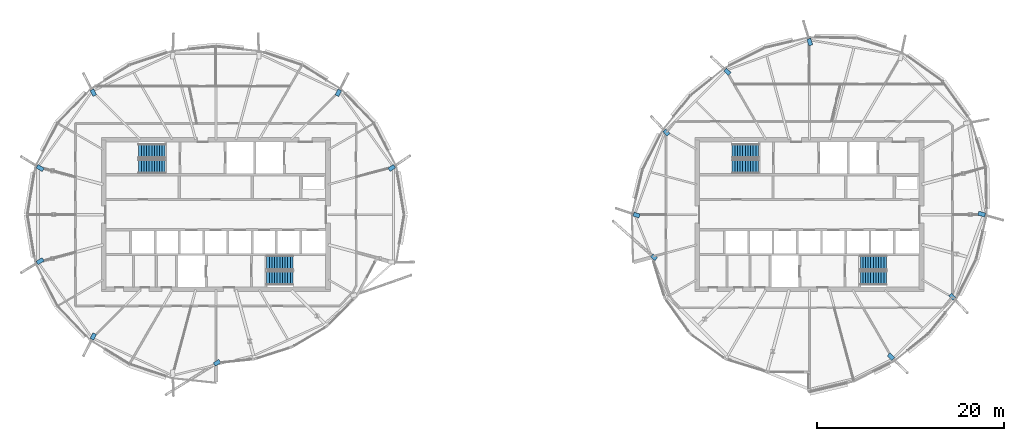
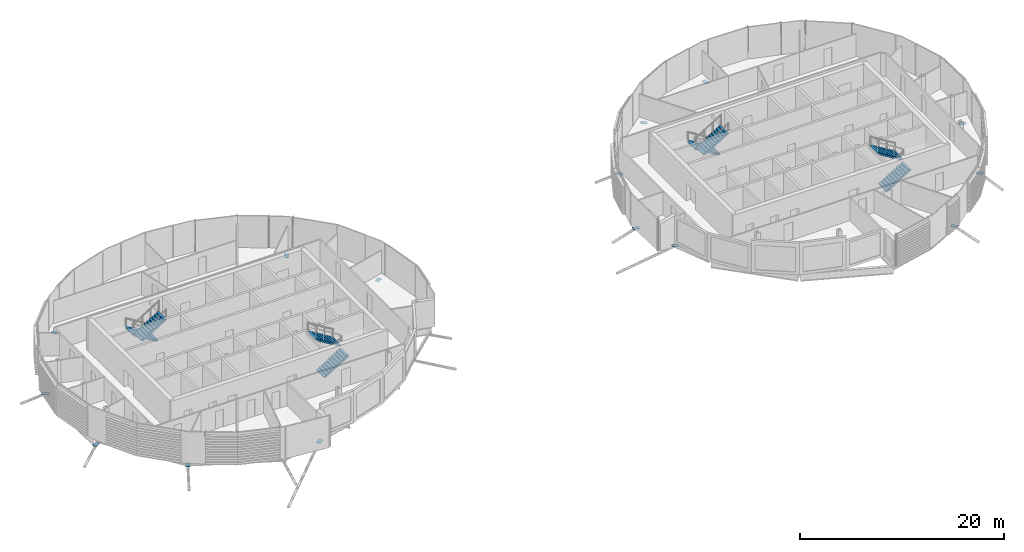
# One storey, part 24 of 36: 15 discrete accessories, 8 stair flights, 4 elements without a shape of their own.
"""IFC4 building model written with IfcOpenShell, lengths in metres."""

from ifc_helpers import new_model, si_unit, direction, frame, origin, origin_2d, place, context, subcontext, project, spatial, polyline, rectangle, outline, extrude, material, material_profile, profile_set, type_object, element, aggregate, save


model = new_model("IFC4")

# Units and contexts
model_context = context("Model", 3, precision=1e-05, world=origin(), true_north=direction((0.0, 1.0)))
body_context = subcontext(model_context, "Body", "Model", "MODEL_VIEW")
ifc_project = project(units=[si_unit("LENGTHUNIT", "METRE"), si_unit("AREAUNIT", "SQUARE_METRE"), si_unit("VOLUMEUNIT", "CUBIC_METRE"), si_unit("PLANEANGLEUNIT", "RADIAN"), si_unit("MASSUNIT", "GRAM", prefix="KILO")], contexts=[model_context])

# Site, building, storey
site_placement = place(None, origin())
site = spatial("IfcSite", under=ifc_project, at=site_placement, CompositionType="ELEMENT")
building_placement = place(site_placement, origin())
building = spatial("IfcBuilding", under=site, at=building_placement, Name="Rimbun Link Towers", CompositionType="ELEMENT")
storey_placement = place(building_placement, frame((0.0, 0.0, 248.5)))
storey = spatial("IfcBuildingStorey", under=building, at=storey_placement, Name="L61", CompositionType="ELEMENT", Elevation=248.5)

# Stair, stair flights
ifc_material_1 = material(Name="Concrete C40/50", Category="concrete")
stair_type = type_object("IfcStairType", Name="Exit stair 3800 rise", PredefinedType="HALF_TURN_STAIR", material=ifc_material_1)
stair_1_placement = place(storey_placement, origin())
stair_1 = element("IfcStair", 1, at=stair_1_placement, inside=storey, type_object=stair_type, Name="L61 EXIT STAIR A", PredefinedType="HALF_TURN_STAIR")
ifc_material_2 = material(Name="Concrete C40/50", Category="concrete")
stair_flight_type = type_object("IfcStairFlightType", Name="Exit stair flight 3800 rise", PredefinedType="STRAIGHT", material=ifc_material_2)
stair_flight_1_placement = place(storey_placement, frame((-37.199951171875, 6.800048828125, 0.0), z_axis=(0.0, 0.0, 1.0), x_axis=(-1.0, 0.0, 0.0)))
stair_flight_1 = element("IfcStairFlight", 2, at=stair_flight_1_placement, type_object=stair_flight_type, Name="ST1 flight 1", NumberOfRisers=11, NumberOfTreads=10, PredefinedType="STRAIGHT", RiserHeight=0.172727273, TreadLength=0.28, context=body_context, shape_type="SweptSolid", body=[
    extrude(outline(polyline([(0.0, 0.0), (0.0, 0.172607421875), (0.280029296875, 0.172607421875), (0.280029296875, 0.345458984375), (0.56005859375, 0.345458984375), (0.56005859375, 0.51806640625), (0.840087890625, 0.51806640625), (0.840087890625, 0.69091796875), (1.1201171875, 0.69091796875), (1.1201171875, 0.863525390625), (1.39990234375, 0.863525390625), (1.39990234375, 1.036376953125), (1.679931640625, 1.036376953125), (1.679931640625, 1.208984375), (1.9599609375, 1.208984375), (1.9599609375, 1.3818359375), (2.239990234375, 1.3818359375), (2.239990234375, 1.554443359375), (2.52001953125, 1.554443359375), (2.52001953125, 1.727294921875), (2.800048828125, 1.727294921875), (2.800048828125, 1.89990234375), (2.800048828125, 1.551025390625), (0.280029296875, 0.0), (0.0, 0.0)])), frame((0.0, 0.75, 0.0), z_axis=(0.0, -1.0, 0.0), x_axis=(1.0, 0.0, 0.0)), (0.0, 0.0, 1.0), 1.5),
])
stair_flight_2_placement = place(storey_placement, frame((-40.0, 5.14990234375, 1.89990234375), z_axis=(0.0, 0.0, 1.0), x_axis=(1.0, 0.0, 0.0)))
stair_flight_2 = element("IfcStairFlight", 3, at=stair_flight_2_placement, type_object=stair_flight_type, Name="ST1 flight 2", NumberOfRisers=11, NumberOfTreads=10, PredefinedType="STRAIGHT", RiserHeight=0.172727273, TreadLength=0.28, context=body_context, shape_type="SweptSolid", body=[
    extrude(outline(polyline([(0.0, 0.0), (0.0, 0.172607421875), (0.280029296875, 0.172607421875), (0.280029296875, 0.345458984375), (0.56005859375, 0.345458984375), (0.56005859375, 0.51806640625), (0.840087890625, 0.51806640625), (0.840087890625, 0.69091796875), (1.1201171875, 0.69091796875), (1.1201171875, 0.863525390625), (1.39990234375, 0.863525390625), (1.39990234375, 1.036376953125), (1.679931640625, 1.036376953125), (1.679931640625, 1.208984375), (1.9599609375, 1.208984375), (1.9599609375, 1.3818359375), (2.239990234375, 1.3818359375), (2.239990234375, 1.554443359375), (2.52001953125, 1.554443359375), (2.52001953125, 1.727294921875), (2.800048828125, 1.727294921875), (2.800048828125, 1.89990234375), (2.800048828125, 1.551025390625), (0.280029296875, 0.0), (0.0, 0.0)])), frame((0.0, 0.75, 0.0), z_axis=(0.0, -1.0, 0.0), x_axis=(1.0, 0.0, 0.0)), (0.0, 0.0, 1.0), 1.5),
])
aggregate(stair_1, [stair_flight_1, stair_flight_2])

stair_2_placement = place(storey_placement, origin())
stair_2 = element("IfcStair", 4, at=stair_2_placement, inside=storey, type_object=stair_type, Name="L61 EXIT STAIR B", PredefinedType="HALF_TURN_STAIR")
stair_flight_3_placement = place(storey_placement, frame((-26.300048828125, -6.800048828125, 0.0), z_axis=(0.0, 0.0, 1.0), x_axis=(1.0, 0.0, 0.0)))
stair_flight_3 = element("IfcStairFlight", 5, at=stair_flight_3_placement, type_object=stair_flight_type, Name="ST2 flight 1", NumberOfRisers=11, NumberOfTreads=10, PredefinedType="STRAIGHT", RiserHeight=0.172727273, TreadLength=0.28, context=body_context, shape_type="SweptSolid", body=[
    extrude(outline(polyline([(0.0, 0.0), (0.0, 0.172607421875), (0.280029296875, 0.172607421875), (0.280029296875, 0.345458984375), (0.56005859375, 0.345458984375), (0.56005859375, 0.51806640625), (0.840087890625, 0.51806640625), (0.840087890625, 0.69091796875), (1.1201171875, 0.69091796875), (1.1201171875, 0.863525390625), (1.39990234375, 0.863525390625), (1.39990234375, 1.036376953125), (1.679931640625, 1.036376953125), (1.679931640625, 1.208984375), (1.9599609375, 1.208984375), (1.9599609375, 1.3818359375), (2.239990234375, 1.3818359375), (2.239990234375, 1.554443359375), (2.52001953125, 1.554443359375), (2.52001953125, 1.727294921875), (2.800048828125, 1.727294921875), (2.800048828125, 1.89990234375), (2.800048828125, 1.551025390625), (0.280029296875, 0.0), (0.0, 0.0)])), frame((0.0, 0.75, 0.0), z_axis=(0.0, -1.0, 0.0), x_axis=(1.0, 0.0, 0.0)), (0.0, 0.0, 1.0), 1.5),
])
stair_flight_4_placement = place(storey_placement, frame((-23.5, -5.14990234375, 1.89990234375), z_axis=(0.0, 0.0, 1.0), x_axis=(-1.0, 0.0, 0.0)))
stair_flight_4 = element("IfcStairFlight", 6, at=stair_flight_4_placement, type_object=stair_flight_type, Name="ST2 flight 2", NumberOfRisers=11, NumberOfTreads=10, PredefinedType="STRAIGHT", RiserHeight=0.172727273, TreadLength=0.28, context=body_context, shape_type="SweptSolid", body=[
    extrude(outline(polyline([(0.0, 0.0), (0.0, 0.172607421875), (0.280029296875, 0.172607421875), (0.280029296875, 0.345458984375), (0.56005859375, 0.345458984375), (0.56005859375, 0.51806640625), (0.840087890625, 0.51806640625), (0.840087890625, 0.69091796875), (1.1201171875, 0.69091796875), (1.1201171875, 0.863525390625), (1.39990234375, 0.863525390625), (1.39990234375, 1.036376953125), (1.679931640625, 1.036376953125), (1.679931640625, 1.208984375), (1.9599609375, 1.208984375), (1.9599609375, 1.3818359375), (2.239990234375, 1.3818359375), (2.239990234375, 1.554443359375), (2.52001953125, 1.554443359375), (2.52001953125, 1.727294921875), (2.800048828125, 1.727294921875), (2.800048828125, 1.89990234375), (2.800048828125, 1.551025390625), (0.280029296875, 0.0), (0.0, 0.0)])), frame((0.0, 0.75, 0.0), z_axis=(0.0, -1.0, 0.0), x_axis=(1.0, 0.0, 0.0)), (0.0, 0.0, 1.0), 1.5),
])
aggregate(stair_2, [stair_flight_3, stair_flight_4])

stair_3_placement = place(storey_placement, origin())
stair_3 = element("IfcStair", 7, at=stair_3_placement, inside=storey, type_object=stair_type, Name="L61 EXIT STAIR A", PredefinedType="HALF_TURN_STAIR")
stair_flight_5_placement = place(storey_placement, frame((26.300048828125, 6.800048828125, 0.0), z_axis=(0.0, 0.0, 1.0), x_axis=(-1.0, 0.0, 0.0)))
stair_flight_5 = element("IfcStairFlight", 8, at=stair_flight_5_placement, type_object=stair_flight_type, Name="ST3 flight 1", NumberOfRisers=11, NumberOfTreads=10, PredefinedType="STRAIGHT", RiserHeight=0.172727273, TreadLength=0.28, context=body_context, shape_type="SweptSolid", body=[
    extrude(outline(polyline([(0.0, 0.0), (0.0, 0.172607421875), (0.280029296875, 0.172607421875), (0.280029296875, 0.345458984375), (0.56005859375, 0.345458984375), (0.56005859375, 0.51806640625), (0.840087890625, 0.51806640625), (0.840087890625, 0.69091796875), (1.1201171875, 0.69091796875), (1.1201171875, 0.863525390625), (1.39990234375, 0.863525390625), (1.39990234375, 1.036376953125), (1.679931640625, 1.036376953125), (1.679931640625, 1.208984375), (1.9599609375, 1.208984375), (1.9599609375, 1.3818359375), (2.239990234375, 1.3818359375), (2.239990234375, 1.554443359375), (2.52001953125, 1.554443359375), (2.52001953125, 1.727294921875), (2.800048828125, 1.727294921875), (2.800048828125, 1.89990234375), (2.800048828125, 1.551025390625), (0.280029296875, 0.0), (0.0, 0.0)])), frame((0.0, 0.75, 0.0), z_axis=(0.0, -1.0, 0.0), x_axis=(1.0, 0.0, 0.0)), (0.0, 0.0, 1.0), 1.5),
])
stair_flight_6_placement = place(storey_placement, frame((23.5, 5.14990234375, 1.89990234375), z_axis=(0.0, 0.0, 1.0), x_axis=(1.0, 0.0, 0.0)))
stair_flight_6 = element("IfcStairFlight", 9, at=stair_flight_6_placement, type_object=stair_flight_type, Name="ST3 flight 2", NumberOfRisers=11, NumberOfTreads=10, PredefinedType="STRAIGHT", RiserHeight=0.172727273, TreadLength=0.28, context=body_context, shape_type="SweptSolid", body=[
    extrude(outline(polyline([(0.0, 0.0), (0.0, 0.172607421875), (0.280029296875, 0.172607421875), (0.280029296875, 0.345458984375), (0.56005859375, 0.345458984375), (0.56005859375, 0.51806640625), (0.840087890625, 0.51806640625), (0.840087890625, 0.69091796875), (1.1201171875, 0.69091796875), (1.1201171875, 0.863525390625), (1.39990234375, 0.863525390625), (1.39990234375, 1.036376953125), (1.679931640625, 1.036376953125), (1.679931640625, 1.208984375), (1.9599609375, 1.208984375), (1.9599609375, 1.3818359375), (2.239990234375, 1.3818359375), (2.239990234375, 1.554443359375), (2.52001953125, 1.554443359375), (2.52001953125, 1.727294921875), (2.800048828125, 1.727294921875), (2.800048828125, 1.89990234375), (2.800048828125, 1.551025390625), (0.280029296875, 0.0), (0.0, 0.0)])), frame((0.0, 0.75, 0.0), z_axis=(0.0, -1.0, 0.0), x_axis=(1.0, 0.0, 0.0)), (0.0, 0.0, 1.0), 1.5),
])
aggregate(stair_3, [stair_flight_5, stair_flight_6])

stair_4_placement = place(storey_placement, origin())
stair_4 = element("IfcStair", 10, at=stair_4_placement, inside=storey, type_object=stair_type, Name="L61 EXIT STAIR B", PredefinedType="HALF_TURN_STAIR")
stair_flight_7_placement = place(storey_placement, frame((37.199951171875, -6.800048828125, 0.0), z_axis=(0.0, 0.0, 1.0), x_axis=(1.0, 0.0, 0.0)))
stair_flight_7 = element("IfcStairFlight", 11, at=stair_flight_7_placement, type_object=stair_flight_type, Name="ST4 flight 1", NumberOfRisers=11, NumberOfTreads=10, PredefinedType="STRAIGHT", RiserHeight=0.172727273, TreadLength=0.28, context=body_context, shape_type="SweptSolid", body=[
    extrude(outline(polyline([(0.0, 0.0), (0.0, 0.172607421875), (0.280029296875, 0.172607421875), (0.280029296875, 0.345458984375), (0.56005859375, 0.345458984375), (0.56005859375, 0.51806640625), (0.840087890625, 0.51806640625), (0.840087890625, 0.69091796875), (1.1201171875, 0.69091796875), (1.1201171875, 0.863525390625), (1.39990234375, 0.863525390625), (1.39990234375, 1.036376953125), (1.679931640625, 1.036376953125), (1.679931640625, 1.208984375), (1.9599609375, 1.208984375), (1.9599609375, 1.3818359375), (2.239990234375, 1.3818359375), (2.239990234375, 1.554443359375), (2.52001953125, 1.554443359375), (2.52001953125, 1.727294921875), (2.800048828125, 1.727294921875), (2.800048828125, 1.89990234375), (2.800048828125, 1.551025390625), (0.280029296875, 0.0), (0.0, 0.0)])), frame((0.0, 0.75, 0.0), z_axis=(0.0, -1.0, 0.0), x_axis=(1.0, 0.0, 0.0)), (0.0, 0.0, 1.0), 1.5),
])
stair_flight_8_placement = place(storey_placement, frame((40.0, -5.14990234375, 1.89990234375), z_axis=(0.0, 0.0, 1.0), x_axis=(-1.0, 0.0, 0.0)))
stair_flight_8 = element("IfcStairFlight", 12, at=stair_flight_8_placement, type_object=stair_flight_type, Name="ST4 flight 2", NumberOfRisers=11, NumberOfTreads=10, PredefinedType="STRAIGHT", RiserHeight=0.172727273, TreadLength=0.28, context=body_context, shape_type="SweptSolid", body=[
    extrude(outline(polyline([(0.0, 0.0), (0.0, 0.172607421875), (0.280029296875, 0.172607421875), (0.280029296875, 0.345458984375), (0.56005859375, 0.345458984375), (0.56005859375, 0.51806640625), (0.840087890625, 0.51806640625), (0.840087890625, 0.69091796875), (1.1201171875, 0.69091796875), (1.1201171875, 0.863525390625), (1.39990234375, 0.863525390625), (1.39990234375, 1.036376953125), (1.679931640625, 1.036376953125), (1.679931640625, 1.208984375), (1.9599609375, 1.208984375), (1.9599609375, 1.3818359375), (2.239990234375, 1.3818359375), (2.239990234375, 1.554443359375), (2.52001953125, 1.554443359375), (2.52001953125, 1.727294921875), (2.800048828125, 1.727294921875), (2.800048828125, 1.89990234375), (2.800048828125, 1.551025390625), (0.280029296875, 0.0), (0.0, 0.0)])), frame((0.0, 0.75, 0.0), z_axis=(0.0, -1.0, 0.0), x_axis=(1.0, 0.0, 0.0)), (0.0, 0.0, 1.0), 1.5),
])
aggregate(stair_4, [stair_flight_7, stair_flight_8])

# Discrete accessories
ifc_material_3 = material(Name="Steel S355J2H", Category="steel")
ifc_material_profile = material_profile(ifc_material_3, rectangle(XDim=0.43310546875, YDim=0.43310546875, at=origin_2d()), Name="PL 433x433")
ifc_profile_set = profile_set([ifc_material_profile], Name="Steel S355J2H")
discrete_accessory_type = type_object("IfcDiscreteAccessoryType", Name="Link head end plate 433X20", PredefinedType="BRACKET", material=ifc_profile_set)
discrete_accessory_1_placement = place(storey_placement, frame((0.0, 0.0, -0.56640625)))
element("IfcDiscreteAccessory", 13, at=discrete_accessory_1_placement, inside=storey, type_object=discrete_accessory_type, Name="Link head end plate T1 L61 01", PredefinedType="BRACKET", context=body_context, shape_type="SweptSolid", body=[
    extrude(outline(polyline([(-13.088623046875, 4.616455078125), (-12.5126953125, 5.004638671875), (-12.754638671875, 5.36376953125), (-13.33056640625, 4.9755859375), (-13.088623046875, 4.616455078125)])), origin(), (0.0, 0.0, 1.0), 0.02001953125),
])
discrete_accessory_2_placement = place(storey_placement, frame((0.0, 0.0, -0.56640625)))
element("IfcDiscreteAccessory", 14, at=discrete_accessory_2_placement, inside=storey, type_object=discrete_accessory_type, Name="Link head end plate T1 L61 03", PredefinedType="BRACKET", context=body_context, shape_type="SweptSolid", body=[
    extrude(outline(polyline([(-18.611328125, 12.624267578125), (-18.298583984375, 13.241455078125), (-18.684814453125, 13.437255859375), (-18.99755859375, 12.81982421875), (-18.611328125, 12.624267578125)])), origin(), (0.0, 0.0, 1.0), 0.02001953125),
])
discrete_accessory_3_placement = place(storey_placement, frame((0.0, 0.0, -0.56640625)))
element("IfcDiscreteAccessory", 15, at=discrete_accessory_3_placement, inside=storey, type_object=discrete_accessory_type, Name="Link head end plate T1 L61 09", PredefinedType="BRACKET", context=body_context, shape_type="SweptSolid", body=[
    extrude(outline(polyline([(-44.50244140625, 12.81982421875), (-44.815185546875, 13.437255859375), (-45.201416015625, 13.241455078125), (-44.888671875, 12.624267578125), (-44.50244140625, 12.81982421875)])), origin(), (0.0, 0.0, 1.0), 0.02001953125),
])
discrete_accessory_4_placement = place(storey_placement, frame((0.0, 0.0, -1.000732421875)))
element("IfcDiscreteAccessory", 16, at=discrete_accessory_4_placement, inside=storey, type_object=discrete_accessory_type, Name="Link head end plate T1 L61 11", PredefinedType="BRACKET", context=body_context, shape_type="SweptSolid", body=[
    extrude(outline(polyline([(-50.104248046875, 4.962158203125), (-50.755859375, 5.361083984375), (-50.98193359375, 4.99169921875), (-50.330078125, 4.5927734375), (-50.104248046875, 4.962158203125)])), origin(), (0.0, 0.0, 1.0), 0.02001953125),
])
discrete_accessory_5_placement = place(storey_placement, frame((0.0, 0.0, -1.000732421875)))
element("IfcDiscreteAccessory", 17, at=discrete_accessory_5_placement, inside=storey, type_object=discrete_accessory_type, Name="Link head end plate T1 L61 13", PredefinedType="BRACKET", context=body_context, shape_type="SweptSolid", body=[
    extrude(outline(polyline([(-50.330078125, -4.5927734375), (-50.98193359375, -4.99169921875), (-50.755859375, -5.361083984375), (-50.104248046875, -4.962158203125), (-50.330078125, -4.5927734375)])), origin(), (0.0, 0.0, 1.0), 0.02001953125),
])
discrete_accessory_6_placement = place(storey_placement, frame((0.0, 0.0, -0.56640625)))
element("IfcDiscreteAccessory", 18, at=discrete_accessory_6_placement, inside=storey, type_object=discrete_accessory_type, Name="Link head end plate T1 L61 15", PredefinedType="BRACKET", context=body_context, shape_type="SweptSolid", body=[
    extrude(outline(polyline([(-44.888671875, -12.624267578125), (-45.201416015625, -13.241455078125), (-44.815185546875, -13.437255859375), (-44.50244140625, -12.81982421875), (-44.888671875, -12.624267578125)])), origin(), (0.0, 0.0, 1.0), 0.02001953125),
])
discrete_accessory_7_placement = place(storey_placement, frame((0.0, 0.0, -0.693115234375)))
element("IfcDiscreteAccessory", 19, at=discrete_accessory_7_placement, inside=storey, type_object=discrete_accessory_type, Name="Link head end plate T1 L61 18", PredefinedType="BRACKET", context=body_context, shape_type="SweptSolid", body=[
    extrude(outline(polyline([(-31.429931640625, -15.48681640625), (-32.0185546875, -15.853271484375), (-31.789794921875, -16.220703125), (-31.200927734375, -15.854248046875), (-31.429931640625, -15.48681640625)])), origin(), (0.0, 0.0, 1.0), 0.02001953125),
])
discrete_accessory_8_placement = place(storey_placement, frame((0.0, 0.0, -0.7626953125)))
element("IfcDiscreteAccessory", 20, at=discrete_accessory_8_placement, inside=storey, type_object=discrete_accessory_type, Name="Link head end plate T2 L61 03", PredefinedType="BRACKET", context=body_context, shape_type="SweptSolid", body=[
    extrude(outline(polyline([(32.114501953125, 18.181884765625), (31.9033203125, 18.87060546875), (31.4892578125, 18.743896484375), (31.700439453125, 18.05517578125), (32.114501953125, 18.181884765625)])), origin(), (0.0, 0.0, 1.0), 0.02001953125),
])
discrete_accessory_9_placement = place(storey_placement, frame((0.0, 0.0, -0.61328125)))
element("IfcDiscreteAccessory", 21, at=discrete_accessory_9_placement, inside=storey, type_object=discrete_accessory_type, Name="Link head end plate T2 L61 05", PredefinedType="BRACKET", context=body_context, shape_type="SweptSolid", body=[
    extrude(outline(polyline([(23.3935546875, 15.1953125), (22.876220703125, 15.67578125), (22.581298828125, 15.358642578125), (23.098876953125, 14.8779296875), (23.3935546875, 15.1953125)])), origin(), (0.0, 0.0, 1.0), 0.019775390625),
])
discrete_accessory_10_placement = place(storey_placement, frame((0.0, 0.0, -0.46337890625)))
element("IfcDiscreteAccessory", 22, at=discrete_accessory_10_placement, inside=storey, type_object=discrete_accessory_type, Name="Link head end plate T2 L61 07", PredefinedType="BRACKET", context=body_context, shape_type="SweptSolid", body=[
    extrude(outline(polyline([(16.84130859375, 8.687255859375), (16.388671875, 9.170166015625), (16.07275390625, 8.8740234375), (16.525390625, 8.39111328125), (16.84130859375, 8.687255859375)])), origin(), (0.0, 0.0, 1.0), 0.02001953125),
])
discrete_accessory_11_placement = place(storey_placement, frame((0.0, 0.0, -0.514892578125)))
element("IfcDiscreteAccessory", 23, at=discrete_accessory_11_placement, inside=storey, type_object=discrete_accessory_type, Name="Link head end plate T2 L61 09", PredefinedType="BRACKET", context=body_context, shape_type="SweptSolid", body=[
    extrude(outline(polyline([(13.661376953125, 0.047119140625), (13.01123046875, 0.263671875), (12.87451171875, -0.147216796875), (13.524658203125, -0.363525390625), (13.661376953125, 0.047119140625)])), origin(), (0.0, 0.0, 1.0), 0.019775390625),
])
discrete_accessory_12_placement = place(storey_placement, frame((0.0, 0.0, -0.514892578125)))
element("IfcDiscreteAccessory", 24, at=discrete_accessory_12_placement, inside=storey, type_object=discrete_accessory_type, Name="Link head end plate T2 L61 10", PredefinedType="BRACKET", context=body_context, shape_type="SweptSolid", body=[
    extrude(outline(polyline([(15.513427734375, -4.61474609375), (15.038330078125, -4.194091796875), (14.751220703125, -4.518310546875), (15.226318359375, -4.93896484375), (15.513427734375, -4.61474609375)])), origin(), (0.0, 0.0, 1.0), 0.019775390625),
])
discrete_accessory_13_placement = place(storey_placement, frame((0.0, 0.0, -0.61328125)))
element("IfcDiscreteAccessory", 25, at=discrete_accessory_13_placement, inside=storey, type_object=discrete_accessory_type, Name="Link head end plate T2 L61 17", PredefinedType="BRACKET", context=body_context, shape_type="SweptSolid", body=[
    extrude(outline(polyline([(40.077392578125, -15.112548828125), (40.5712890625, -15.59765625), (40.874755859375, -15.288818359375), (40.380859375, -14.8037109375), (40.077392578125, -15.112548828125)])), origin(), (0.0, 0.0, 1.0), 0.019775390625),
])
discrete_accessory_14_placement = place(storey_placement, frame((0.0, 0.0, -0.46337890625)))
element("IfcDiscreteAccessory", 26, at=discrete_accessory_14_placement, inside=storey, type_object=discrete_accessory_type, Name="Link head end plate T2 L61 19", PredefinedType="BRACKET", context=body_context, shape_type="SweptSolid", body=[
    extrude(outline(polyline([(46.65869140625, -8.687255859375), (47.111328125, -9.170166015625), (47.42724609375, -8.8740234375), (46.974609375, -8.39111328125), (46.65869140625, -8.687255859375)])), origin(), (0.0, 0.0, 1.0), 0.02001953125),
])
discrete_accessory_15_placement = place(storey_placement, frame((0.0, 0.0, -1.000732421875)))
element("IfcDiscreteAccessory", 27, at=discrete_accessory_15_placement, inside=storey, type_object=discrete_accessory_type, Name="Link head end plate T2 L61 21", PredefinedType="BRACKET", context=body_context, shape_type="SweptSolid", body=[
    extrude(outline(polyline([(49.765380859375, -0.051513671875), (50.498779296875, -0.2578125), (50.6162109375, 0.1591796875), (49.8828125, 0.365478515625), (49.765380859375, -0.051513671875)])), origin(), (0.0, 0.0, 1.0), 0.02001953125),
])

save(model, "model.ifc")
